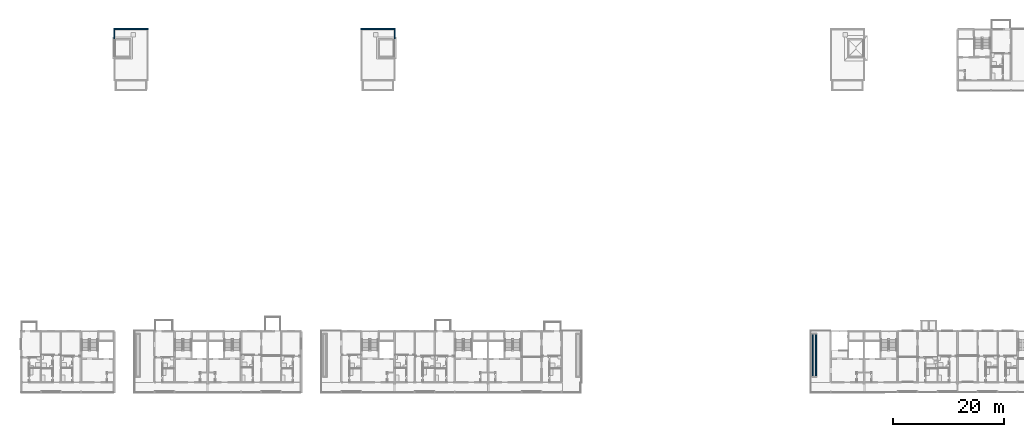
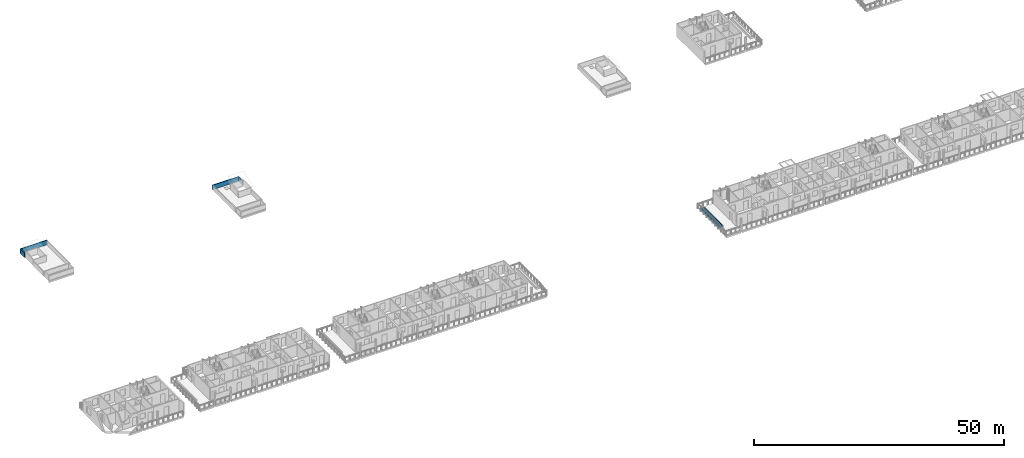
# One storey, part 31 of 64: 6 walls.
"""IFC4 building model written with IfcOpenShell, lengths in metres."""

from ifc_helpers import new_model, si_unit, direction, frame, frame_2d, origin, place, context, subcontext, project, spatial, rectangle, extrude, material, layer, layer_set, type_object, element, save


model = new_model("IFC4")

# Units and contexts
model_context = context("Model", 3, precision=1e-05, world=origin(), true_north=direction((0.0, 1.0)))
body_context = subcontext(model_context, "Body", "Model", "MODEL_VIEW")
ifc_project = project(units=[si_unit("LENGTHUNIT", "METRE"), si_unit("AREAUNIT", "SQUARE_METRE"), si_unit("VOLUMEUNIT", "CUBIC_METRE"), si_unit("PLANEANGLEUNIT", "RADIAN"), si_unit("MASSUNIT", "GRAM", prefix="KILO")], contexts=[model_context])

# Site, building, storey
site_placement = place(None, origin())
site = spatial("IfcSite", under=ifc_project, at=site_placement, CompositionType="ELEMENT")
building_placement = place(site_placement, origin())
building = spatial("IfcBuilding", under=site, at=building_placement, Name="Ridgestep Commons", CompositionType="ELEMENT")
storey_placement = place(building_placement, frame((0.0, 0.0, 33.0)))
storey = spatial("IfcBuildingStorey", under=building, at=storey_placement, Name="L11", CompositionType="ELEMENT", Elevation=33.0)

# Walls
ifc_material_1 = material(Name="Precast concrete C40/50", Category="concrete")
ifc_layer_1 = layer(ifc_material_1, 0.199951171875)
ifc_layer_set_1 = layer_set([ifc_layer_1], Name="Parapet wall 200")
wall_type_1 = type_object("IfcWallType", Name="Parapet wall 200", PredefinedType="PARAPET", material=ifc_layer_set_1)
wall_1_placement = place(storey_placement, frame((28.699951171875, 77.125, 0.0), z_axis=(0.0, 0.0, 1.0), x_axis=(1.0, 0.0, 0.0)))
element("IfcWall", 1, at=wall_1_placement, inside=storey, type_object=wall_type_1, Name="Parapet B2C north", PredefinedType="PARAPET", context=body_context, shape_type="SweptSolid", body=[
    extrude(rectangle(XDim=6.199951171875, YDim=0.199951171875, at=frame_2d((3.10009765625, 0.0))), origin(), (0.0, 0.0, 1.0), 1.10009765625),
])
wall_2_placement = place(storey_placement, frame((28.800048828125, 75.39990234375, 0.0), z_axis=(0.0, 0.0, 1.0), x_axis=(0.0, 1.0, 0.0)))
element("IfcWall", 2, at=wall_2_placement, inside=storey, type_object=wall_type_1, Name="Parapet B2C west", PredefinedType="PARAPET", context=body_context, shape_type="SweptSolid", body=[
    extrude(rectangle(XDim=1.625, YDim=0.199951171875, at=frame_2d((0.8125, 0.0))), origin(), (0.0, 0.0, 1.0), 1.10009765625),
])
wall_3_placement = place(storey_placement, frame((73.10009765625, 77.125, 0.0), z_axis=(0.0, 0.0, 1.0), x_axis=(1.0, 0.0, 0.0)))
element("IfcWall", 3, at=wall_3_placement, inside=storey, type_object=wall_type_1, Name="Parapet B4C north", PredefinedType="PARAPET", context=body_context, shape_type="SweptSolid", body=[
    extrude(rectangle(XDim=6.199951171875, YDim=0.199951171875, at=frame_2d((3.10009765625, 0.0))), origin(), (0.0, 0.0, 1.0), 1.10009765625),
])
wall_4_placement = place(storey_placement, frame((79.199951171875, 75.39990234375, 0.0), z_axis=(0.0, 0.0, 1.0), x_axis=(0.0, 1.0, 0.0)))
element("IfcWall", 4, at=wall_4_placement, inside=storey, type_object=wall_type_1, Name="Parapet B4C east", PredefinedType="PARAPET", context=body_context, shape_type="SweptSolid", body=[
    extrude(rectangle(XDim=1.625, YDim=0.199951171875, at=frame_2d((0.8125, 0.0))), origin(), (0.0, 0.0, 1.0), 1.10009765625),
])
ifc_material_2 = material(Name="Facing brick", Category="masonry")
ifc_layer_2 = layer(ifc_material_2, 0.199951171875)
ifc_layer_set_2 = layer_set([ifc_layer_2], Name="Planter wall 200")
wall_type_2 = type_object("IfcWallType", Name="Planter wall 200", PredefinedType="SOLIDWALL", material=ifc_layer_set_2)
for number, where, z_axis, x_axis, name in (
    (5, (154.35009765625, 14.75, 0.010009765625), (0.0, 0.0, 1.0), (0.0, 1.0, 0.0), "Planter wall D1R3W"),
    (6, (154.949951171875, 14.75, 0.010009765625), (0.0, 0.0, 1.0), (0.0, 1.0, 0.0), "Planter wall D1R3E"),
):
    element("IfcWall", number, at=place(storey_placement, frame(where, z_axis=z_axis, x_axis=x_axis)), inside=storey, type_object=wall_type_2, Name=name, PredefinedType="SOLIDWALL", context=body_context, shape_type="SweptSolid", body=[
        extrude(rectangle(XDim=7.5, YDim=0.199951171875, at=frame_2d((3.75, 0.0))), origin(), (0.0, 0.0, 1.0), 0.449951171875),
    ])

save(model, "model.ifc")
